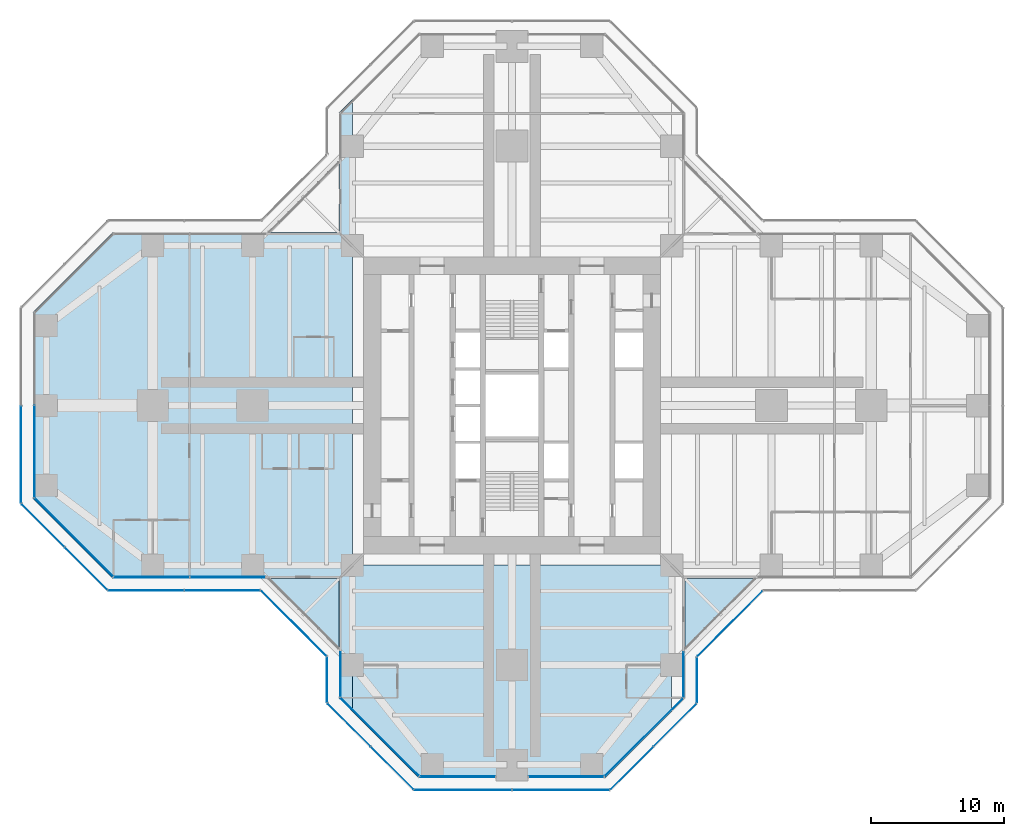
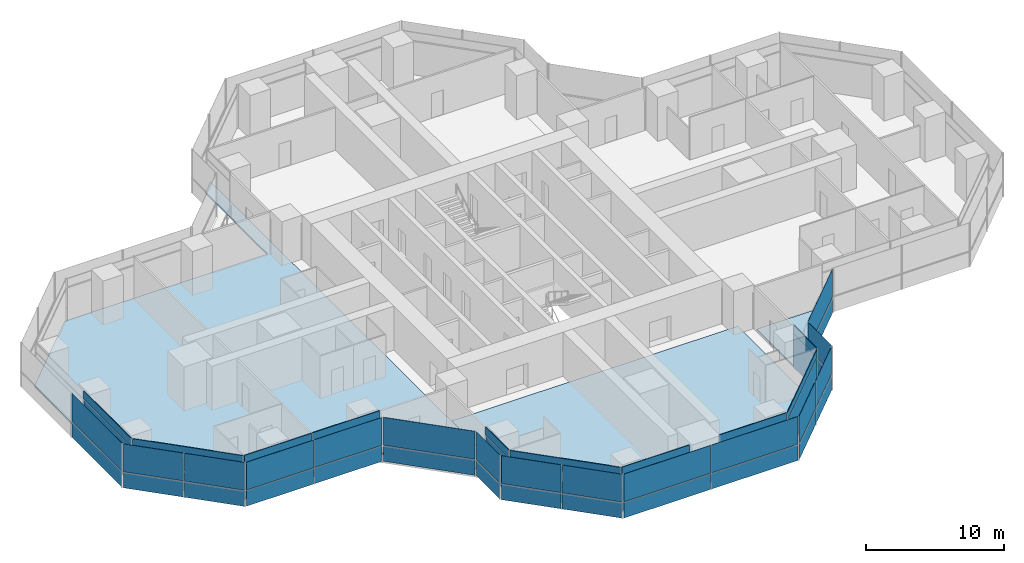
# One storey, part 12 of 20: 50 plates, 4 slabs, 19 elements without a shape of their own.
"""IFC4 building model written with IfcOpenShell, lengths in metres."""

from ifc_helpers import new_model, si_unit, direction, frame, origin, origin_2d, place, context, subcontext, project, spatial, polyline, rectangle, outline, extrude, material, layer, layer_set, type_object, element, aggregate, save


model = new_model("IFC4")

# Units and contexts
model_context = context("Model", 3, precision=1e-05, world=origin(), true_north=direction((0.0, 1.0)))
body_context = subcontext(model_context, "Body", "Model", "MODEL_VIEW")
ifc_project = project(units=[si_unit("LENGTHUNIT", "METRE"), si_unit("AREAUNIT", "SQUARE_METRE"), si_unit("VOLUMEUNIT", "CUBIC_METRE"), si_unit("PLANEANGLEUNIT", "RADIAN"), si_unit("MASSUNIT", "GRAM", prefix="KILO")], contexts=[model_context])

# Site, building, storey
site_placement = place(None, origin())
site = spatial("IfcSite", under=ifc_project, at=site_placement, CompositionType="ELEMENT")
building_placement = place(site_placement, origin())
building = spatial("IfcBuilding", under=site, at=building_placement, Name="Mizan Broadcast Tower", CompositionType="ELEMENT")
storey_placement = place(building_placement, frame((0.0, 0.0, 139.800048828125)))
storey = spatial("IfcBuildingStorey", under=building, at=storey_placement, Name="L31", CompositionType="ELEMENT", Elevation=139.800048828125)

# Slabs
ifc_material_1 = material(Name="Concrete C32/40", Category="concrete")
ifc_layer_1 = layer(ifc_material_1, 0.1298828125)
ifc_layer_set_1 = layer_set([ifc_layer_1], Name="Concrete C32/40")
slab_type_1 = type_object("IfcSlabType", Name="COMPOSITE DECK SLAB 130", PredefinedType="FLOOR", material=ifc_layer_set_1)
slab_1_placement = place(storey_placement, frame((0.0, 0.0, -0.130126953125)))
element("IfcSlab", 1, at=slab_1_placement, inside=storey, type_object=slab_type_1, Name="Floor slab L31 west arm", PredefinedType="FLOOR", context=body_context, shape_type="SweptSolid", body=[
    extrude(outline(polyline([(-13.0, -22.0), (-12.0, -23.0), (-12.0, 23.0), (-13.0, 22.0), (-13.0, 13.0), (-30.0, 13.0), (-36.0, 7.0), (-36.0, -7.0), (-30.0, -13.0), (-13.0, -13.0), (-13.0, -22.0)])), origin(), (0.0, 0.0, 1.0), 0.130126953125),
])
slab_2_placement = place(storey_placement, frame((0.0, 0.0, -0.130126953125)))
element("IfcSlab", 2, at=slab_2_placement, inside=storey, type_object=slab_type_1, Name="Floor slab L31 south arm", PredefinedType="FLOOR", context=body_context, shape_type="SweptSolid", body=[
    extrude(outline(polyline([(7.0, -28.0), (12.0, -23.0), (12.0, -12.0), (-12.0, -12.0), (-12.0, -23.0), (-7.0, -28.0), (7.0, -28.0)])), origin(), (0.0, 0.0, 1.0), 0.130126953125),
])

# Curtain wall, plate
ifc_material_2 = material(Name="Aluminium framed glazing", Category="aluminium")
curtain_wall_type_1 = type_object("IfcCurtainWallType", Name="INNER SKIN MID ZONE", PredefinedType="USERDEFINED", material=ifc_material_2)
curtain_wall_1_placement = place(storey_placement, origin())
curtain_wall_1 = element("IfcCurtainWall", 3, at=curtain_wall_1_placement, inside=storey, type_object=curtain_wall_type_1, Name="Inner skin mid zone L31 W end", ObjectType="INNER SKIN MID ZONE", PredefinedType="USERDEFINED")
ifc_material_3 = material(Name="Double glazing, clear low-e", Category="glass")
ifc_layer_2 = layer(ifc_material_3, 0.028076171875)
ifc_layer_set_2 = layer_set([ifc_layer_2], Name="Double glazing, clear low-e")
plate_type_1 = type_object("IfcPlateType", Name="INNER SKIN GLAZING UNIT", PredefinedType="CURTAIN_PANEL", material=ifc_layer_set_2)
plate_1_placement = place(storey_placement, frame((-35.89990234375, -3.46435546875, 0.0), z_axis=(0.0, 0.0, 1.0), x_axis=(0.0, -1.0, 0.0)))
plate_1 = element("IfcPlate", 4, at=plate_1_placement, type_object=plate_type_1, Name="Inner skin mid zone L31 W end panel 2.1", PredefinedType="CURTAIN_PANEL", context=body_context, shape_type="SweptSolid", body=[
    extrude(rectangle(XDim=6.86865234375, YDim=0.028076171875, at=origin_2d()), origin(), (0.0, 0.0, 1.0), 3.0),
])

curtain_wall_2_placement = place(storey_placement, origin())
curtain_wall_2 = element("IfcCurtainWall", 5, at=curtain_wall_2_placement, inside=storey, type_object=curtain_wall_type_1, Name="Inner skin mid zone L31 W chamfer", ObjectType="INNER SKIN MID ZONE", PredefinedType="USERDEFINED")
plate_2_placement = place(storey_placement, frame((-32.92919921875, -9.92919921875, 0.0), z_axis=(0.0, 0.0, 1.0), x_axis=(0.707106781187, -0.707106781187, 0.0)))
plate_2 = element("IfcPlate", 6, at=plate_2_placement, type_object=plate_type_1, Name="Inner skin mid zone L31 W chamfer panel 1.1", PredefinedType="CURTAIN_PANEL", context=body_context, shape_type="SweptSolid", body=[
    extrude(rectangle(XDim=8.282470703125, YDim=0.028076171875, at=origin_2d()), origin(), (0.0, 0.0, 1.0), 3.0),
])

# Curtain wall, plates
curtain_wall_3_placement = place(storey_placement, origin())
curtain_wall_3 = element("IfcCurtainWall", 7, at=curtain_wall_3_placement, inside=storey, type_object=curtain_wall_type_1, Name="Inner skin mid zone L31 W side", ObjectType="INNER SKIN MID ZONE", PredefinedType="USERDEFINED")
plate_3_placement = place(storey_placement, frame((-27.078857421875, -12.89990234375, 0.0), z_axis=(0.0, 0.0, 1.0), x_axis=(1.0, 0.0, 0.0)))
plate_3 = element("IfcPlate", 8, at=plate_3_placement, type_object=plate_type_1, Name="Inner skin mid zone L31 W side panel 1.1", PredefinedType="CURTAIN_PANEL", context=body_context, shape_type="SweptSolid", body=[
    extrude(rectangle(XDim=5.639404296875, YDim=0.028076171875, at=origin_2d()), origin(), (0.0, 0.0, 1.0), 3.0),
])
plate_4_placement = place(storey_placement, frame((-21.379638671875, -12.89990234375, 0.0), z_axis=(0.0, 0.0, 1.0), x_axis=(1.0, 0.0, 0.0)))
plate_4 = element("IfcPlate", 9, at=plate_4_placement, type_object=plate_type_1, Name="Inner skin mid zone L31 W side panel 2.1", PredefinedType="CURTAIN_PANEL", context=body_context, shape_type="SweptSolid", body=[
    extrude(rectangle(XDim=5.639404296875, YDim=0.028076171875, at=origin_2d()), origin(), (0.0, 0.0, 1.0), 3.0),
])

# Curtain wall, plate
curtain_wall_4_placement = place(storey_placement, origin())
curtain_wall_4 = element("IfcCurtainWall", 10, at=curtain_wall_4_placement, inside=storey, type_object=curtain_wall_type_1, Name="Inner skin mid zone L31 S side", ObjectType="INNER SKIN MID ZONE", PredefinedType="USERDEFINED")
plate_5_placement = place(storey_placement, frame((-12.89990234375, -20.229248046875, 0.0), z_axis=(0.0, 0.0, 1.0), x_axis=(0.0, -1.0, 0.0)))
plate_5 = element("IfcPlate", 11, at=plate_5_placement, type_object=plate_type_1, Name="Inner skin mid zone L31 S side panel 1.1", PredefinedType="CURTAIN_PANEL", context=body_context, shape_type="SweptSolid", body=[
    extrude(rectangle(XDim=3.338623046875, YDim=0.028076171875, at=origin_2d()), origin(), (0.0, 0.0, 1.0), 3.0),
])

curtain_wall_5_placement = place(storey_placement, origin())
curtain_wall_5 = element("IfcCurtainWall", 12, at=curtain_wall_5_placement, inside=storey, type_object=curtain_wall_type_1, Name="Inner skin mid zone L31 S chamfer", ObjectType="INNER SKIN MID ZONE", PredefinedType="USERDEFINED")
plate_6_placement = place(storey_placement, frame((-9.92919921875, -24.92919921875, 0.0), z_axis=(0.0, 0.0, 1.0), x_axis=(0.707106781187, -0.707106781187, 0.0)))
plate_6 = element("IfcPlate", 13, at=plate_6_placement, type_object=plate_type_1, Name="Inner skin mid zone L31 S chamfer panel 1.1", PredefinedType="CURTAIN_PANEL", context=body_context, shape_type="SweptSolid", body=[
    extrude(rectangle(XDim=8.282470703125, YDim=0.028076171875, at=origin_2d()), origin(), (0.0, 0.0, 1.0), 3.0),
])

curtain_wall_6_placement = place(storey_placement, origin())
curtain_wall_6 = element("IfcCurtainWall", 14, at=curtain_wall_6_placement, inside=storey, type_object=curtain_wall_type_1, Name="Inner skin mid zone L31 S end", ObjectType="INNER SKIN MID ZONE", PredefinedType="USERDEFINED")
plate_7_placement = place(storey_placement, frame((-4.079345703125, -27.89990234375, 0.0), z_axis=(0.0, 0.0, 1.0), x_axis=(1.0, 0.0, 0.0)))
plate_7 = element("IfcPlate", 15, at=plate_7_placement, type_object=plate_type_1, Name="Inner skin mid zone L31 S end panel 1.1", PredefinedType="CURTAIN_PANEL", context=body_context, shape_type="SweptSolid", body=[
    extrude(rectangle(XDim=5.638671875, YDim=0.028076171875, at=origin_2d()), origin(), (0.0, 0.0, 1.0), 3.0),
])

curtain_wall_7_placement = place(storey_placement, origin())
curtain_wall_7 = element("IfcCurtainWall", 16, at=curtain_wall_7_placement, inside=storey, type_object=curtain_wall_type_1, Name="Inner skin mid zone L31 S end", ObjectType="INNER SKIN MID ZONE", PredefinedType="USERDEFINED")
plate_8_placement = place(storey_placement, frame((4.079345703125, -27.89990234375, 0.0), z_axis=(0.0, 0.0, 1.0), x_axis=(1.0, 0.0, 0.0)))
plate_8 = element("IfcPlate", 17, at=plate_8_placement, type_object=plate_type_1, Name="Inner skin mid zone L31 S end panel 1.1", PredefinedType="CURTAIN_PANEL", context=body_context, shape_type="SweptSolid", body=[
    extrude(rectangle(XDim=5.638671875, YDim=0.028076171875, at=origin_2d()), origin(), (0.0, 0.0, 1.0), 3.0),
])

curtain_wall_8_placement = place(storey_placement, origin())
curtain_wall_8 = element("IfcCurtainWall", 18, at=curtain_wall_8_placement, inside=storey, type_object=curtain_wall_type_1, Name="Inner skin mid zone L31 S chamfer", ObjectType="INNER SKIN MID ZONE", PredefinedType="USERDEFINED")
plate_9_placement = place(storey_placement, frame((9.92919921875, -24.92919921875, 0.0), z_axis=(0.0, 0.0, 1.0), x_axis=(0.707106781187, 0.707106781187, 0.0)))
plate_9 = element("IfcPlate", 19, at=plate_9_placement, type_object=plate_type_1, Name="Inner skin mid zone L31 S chamfer panel 1.1", PredefinedType="CURTAIN_PANEL", context=body_context, shape_type="SweptSolid", body=[
    extrude(rectangle(XDim=8.282470703125, YDim=0.028076171875, at=origin_2d()), origin(), (0.0, 0.0, 1.0), 3.0),
])

curtain_wall_9_placement = place(storey_placement, origin())
curtain_wall_9 = element("IfcCurtainWall", 20, at=curtain_wall_9_placement, inside=storey, type_object=curtain_wall_type_1, Name="Inner skin mid zone L31 S side", ObjectType="INNER SKIN MID ZONE", PredefinedType="USERDEFINED")
plate_10_placement = place(storey_placement, frame((12.89990234375, -20.229248046875, 0.0), z_axis=(0.0, 0.0, 1.0), x_axis=(0.0, 1.0, 0.0)))
plate_10 = element("IfcPlate", 21, at=plate_10_placement, type_object=plate_type_1, Name="Inner skin mid zone L31 S side panel 1.1", PredefinedType="CURTAIN_PANEL", context=body_context, shape_type="SweptSolid", body=[
    extrude(rectangle(XDim=3.338623046875, YDim=0.028076171875, at=origin_2d()), origin(), (0.0, 0.0, 1.0), 3.0),
])

# Plate
ifc_material_4 = material(Name="Insulated aluminium spandrel panel, pale anodised", Category="aluminium")
ifc_layer_3 = layer(ifc_material_4, 0.050048828125)
ifc_layer_set_3 = layer_set([ifc_layer_3], Name="Insulated aluminium spandrel panel, pale anodised")
plate_type_2 = type_object("IfcPlateType", Name="INNER SKIN SPANDREL PANEL", PredefinedType="CURTAIN_PANEL", material=ifc_layer_set_3)
plate_11_placement = place(storey_placement, frame((-35.89990234375, -3.46435546875, 3.06005859375), z_axis=(0.0, 0.0, 1.0), x_axis=(0.0, -1.0, 0.0)))
plate_11 = element("IfcPlate", 22, at=plate_11_placement, type_object=plate_type_2, Name="Inner skin mid zone L31 W end panel 2.2", PredefinedType="CURTAIN_PANEL", context=body_context, shape_type="SweptSolid", body=[
    extrude(rectangle(XDim=6.86865234375, YDim=0.050048828125, at=origin_2d()), origin(), (0.0, 0.0, 1.0), 0.7099609375),
])

aggregate(curtain_wall_1, [plate_1, plate_11])

plate_12_placement = place(storey_placement, frame((-32.92919921875, -9.92919921875, 3.06005859375), z_axis=(0.0, 0.0, 1.0), x_axis=(0.707106781187, -0.707106781187, 0.0)))
plate_12 = element("IfcPlate", 23, at=plate_12_placement, type_object=plate_type_2, Name="Inner skin mid zone L31 W chamfer panel 1.2", PredefinedType="CURTAIN_PANEL", context=body_context, shape_type="SweptSolid", body=[
    extrude(rectangle(XDim=8.282470703125, YDim=0.050048828125, at=origin_2d()), origin(), (0.0, 0.0, 1.0), 0.7099609375),
])

aggregate(curtain_wall_2, [plate_2, plate_12])

plate_13_placement = place(storey_placement, frame((-27.078857421875, -12.89990234375, 3.06005859375), z_axis=(0.0, 0.0, 1.0), x_axis=(1.0, 0.0, 0.0)))
plate_13 = element("IfcPlate", 24, at=plate_13_placement, type_object=plate_type_2, Name="Inner skin mid zone L31 W side panel 1.2", PredefinedType="CURTAIN_PANEL", context=body_context, shape_type="SweptSolid", body=[
    extrude(rectangle(XDim=5.639404296875, YDim=0.050048828125, at=origin_2d()), origin(), (0.0, 0.0, 1.0), 0.7099609375),
])

plate_14_placement = place(storey_placement, frame((-21.379638671875, -12.89990234375, 3.06005859375), z_axis=(0.0, 0.0, 1.0), x_axis=(1.0, 0.0, 0.0)))
plate_14 = element("IfcPlate", 25, at=plate_14_placement, type_object=plate_type_2, Name="Inner skin mid zone L31 W side panel 2.2", PredefinedType="CURTAIN_PANEL", context=body_context, shape_type="SweptSolid", body=[
    extrude(rectangle(XDim=5.639404296875, YDim=0.050048828125, at=origin_2d()), origin(), (0.0, 0.0, 1.0), 0.7099609375),
])

aggregate(curtain_wall_3, [plate_3, plate_13, plate_4, plate_14])

plate_15_placement = place(storey_placement, frame((-12.89990234375, -20.229248046875, 3.06005859375), z_axis=(0.0, 0.0, 1.0), x_axis=(0.0, -1.0, 0.0)))
plate_15 = element("IfcPlate", 26, at=plate_15_placement, type_object=plate_type_2, Name="Inner skin mid zone L31 S side panel 1.2", PredefinedType="CURTAIN_PANEL", context=body_context, shape_type="SweptSolid", body=[
    extrude(rectangle(XDim=3.338623046875, YDim=0.050048828125, at=origin_2d()), origin(), (0.0, 0.0, 1.0), 0.7099609375),
])

aggregate(curtain_wall_4, [plate_5, plate_15])

plate_16_placement = place(storey_placement, frame((-9.92919921875, -24.92919921875, 3.06005859375), z_axis=(0.0, 0.0, 1.0), x_axis=(0.707106781187, -0.707106781187, 0.0)))
plate_16 = element("IfcPlate", 27, at=plate_16_placement, type_object=plate_type_2, Name="Inner skin mid zone L31 S chamfer panel 1.2", PredefinedType="CURTAIN_PANEL", context=body_context, shape_type="SweptSolid", body=[
    extrude(rectangle(XDim=8.282470703125, YDim=0.050048828125, at=origin_2d()), origin(), (0.0, 0.0, 1.0), 0.7099609375),
])

aggregate(curtain_wall_5, [plate_6, plate_16])

plate_17_placement = place(storey_placement, frame((-4.079345703125, -27.89990234375, 3.06005859375), z_axis=(0.0, 0.0, 1.0), x_axis=(1.0, 0.0, 0.0)))
plate_17 = element("IfcPlate", 28, at=plate_17_placement, type_object=plate_type_2, Name="Inner skin mid zone L31 S end panel 1.2", PredefinedType="CURTAIN_PANEL", context=body_context, shape_type="SweptSolid", body=[
    extrude(rectangle(XDim=5.638671875, YDim=0.050048828125, at=origin_2d()), origin(), (0.0, 0.0, 1.0), 0.7099609375),
])

aggregate(curtain_wall_6, [plate_7, plate_17])

plate_18_placement = place(storey_placement, frame((4.079345703125, -27.89990234375, 3.06005859375), z_axis=(0.0, 0.0, 1.0), x_axis=(1.0, 0.0, 0.0)))
plate_18 = element("IfcPlate", 29, at=plate_18_placement, type_object=plate_type_2, Name="Inner skin mid zone L31 S end panel 1.2", PredefinedType="CURTAIN_PANEL", context=body_context, shape_type="SweptSolid", body=[
    extrude(rectangle(XDim=5.638671875, YDim=0.050048828125, at=origin_2d()), origin(), (0.0, 0.0, 1.0), 0.7099609375),
])

aggregate(curtain_wall_7, [plate_8, plate_18])

plate_19_placement = place(storey_placement, frame((9.92919921875, -24.92919921875, 3.06005859375), z_axis=(0.0, 0.0, 1.0), x_axis=(0.707106781187, 0.707106781187, 0.0)))
plate_19 = element("IfcPlate", 30, at=plate_19_placement, type_object=plate_type_2, Name="Inner skin mid zone L31 S chamfer panel 1.2", PredefinedType="CURTAIN_PANEL", context=body_context, shape_type="SweptSolid", body=[
    extrude(rectangle(XDim=8.282470703125, YDim=0.050048828125, at=origin_2d()), origin(), (0.0, 0.0, 1.0), 0.7099609375),
])

aggregate(curtain_wall_8, [plate_9, plate_19])

plate_20_placement = place(storey_placement, frame((12.89990234375, -20.229248046875, 3.06005859375), z_axis=(0.0, 0.0, 1.0), x_axis=(0.0, 1.0, 0.0)))
plate_20 = element("IfcPlate", 31, at=plate_20_placement, type_object=plate_type_2, Name="Inner skin mid zone L31 S side panel 1.2", PredefinedType="CURTAIN_PANEL", context=body_context, shape_type="SweptSolid", body=[
    extrude(rectangle(XDim=3.338623046875, YDim=0.050048828125, at=origin_2d()), origin(), (0.0, 0.0, 1.0), 0.7099609375),
])

aggregate(curtain_wall_9, [plate_10, plate_20])

# Curtain wall, plates
ifc_material_5 = material(Name="Aluminium framed glazing", Category="aluminium")
curtain_wall_type_2 = type_object("IfcCurtainWallType", Name="OUTER SKIN", PredefinedType="USERDEFINED", material=ifc_material_5)
curtain_wall_10_placement = place(storey_placement, origin())
curtain_wall_10 = element("IfcCurtainWall", 32, at=curtain_wall_10_placement, inside=storey, type_object=curtain_wall_type_2, Name="Outer skin L31 W chamfer", ObjectType="OUTER SKIN", PredefinedType="USERDEFINED")
ifc_material_6 = material(Name="Laminated clear glass", Category="glass")
ifc_layer_4 = layer(ifc_material_6, 0.02001953125)
ifc_layer_set_4 = layer_set([ifc_layer_4], Name="Laminated clear glass")
plate_type_3 = type_object("IfcPlateType", Name="OUTER SKIN CLEAR GLASS", PredefinedType="CURTAIN_PANEL", material=ifc_layer_set_4)
plate_21_placement = place(storey_placement, frame((-35.254150390625, -9.018798828125, 0.0), z_axis=(0.0, 0.0, 1.0), x_axis=(0.707106781187, -0.707106781187, 0.0)))
plate_21 = element("IfcPlate", 33, at=plate_21_placement, type_object=plate_type_3, Name="Outer skin L31 W chamfer panel 1.1", PredefinedType="CURTAIN_PANEL", context=body_context, shape_type="SweptSolid", body=[
    extrude(rectangle(XDim=4.495361328125, YDim=0.02001953125, at=origin_2d()), origin(), (0.0, 0.0, 1.0), 1.3701171875),
])
plate_22_placement = place(storey_placement, frame((-35.254150390625, -9.018798828125, 1.43017578125), z_axis=(0.0, 0.0, 1.0), x_axis=(0.707106781187, -0.707106781187, 0.0)))
plate_22 = element("IfcPlate", 34, at=plate_22_placement, type_object=plate_type_3, Name="Outer skin L31 W chamfer panel 1.2", PredefinedType="CURTAIN_PANEL", context=body_context, shape_type="SweptSolid", body=[
    extrude(rectangle(XDim=4.495361328125, YDim=0.02001953125, at=origin_2d()), origin(), (0.0, 0.0, 1.0), 2.469970703125),
])

curtain_wall_11_placement = place(storey_placement, origin())
curtain_wall_11 = element("IfcCurtainWall", 35, at=curtain_wall_11_placement, inside=storey, type_object=curtain_wall_type_2, Name="Outer skin L31 W side", ObjectType="OUTER SKIN", PredefinedType="USERDEFINED")
plate_23_placement = place(storey_placement, frame((-27.477783203125, -13.89990234375, 0.0), z_axis=(0.0, 0.0, 1.0), x_axis=(1.0, 0.0, 0.0)))
plate_23 = element("IfcPlate", 36, at=plate_23_placement, type_object=plate_type_3, Name="Outer skin L31 W side panel 1.1", PredefinedType="CURTAIN_PANEL", context=body_context, shape_type="SweptSolid", body=[
    extrude(rectangle(XDim=5.6298828125, YDim=0.02001953125, at=origin_2d()), origin(), (0.0, 0.0, 1.0), 1.3701171875),
])
plate_24_placement = place(storey_placement, frame((-27.477783203125, -13.89990234375, 1.43017578125), z_axis=(0.0, 0.0, 1.0), x_axis=(1.0, 0.0, 0.0)))
plate_24 = element("IfcPlate", 37, at=plate_24_placement, type_object=plate_type_3, Name="Outer skin L31 W side panel 1.2", PredefinedType="CURTAIN_PANEL", context=body_context, shape_type="SweptSolid", body=[
    extrude(rectangle(XDim=5.6298828125, YDim=0.02001953125, at=origin_2d()), origin(), (0.0, 0.0, 1.0), 2.469970703125),
])

curtain_wall_12_placement = place(storey_placement, origin())
curtain_wall_12 = element("IfcCurtainWall", 38, at=curtain_wall_12_placement, inside=storey, type_object=curtain_wall_type_2, Name="Outer skin L31 W chamfer", ObjectType="OUTER SKIN", PredefinedType="USERDEFINED")
plate_25_placement = place(storey_placement, frame((-16.386474609375, -16.386474609375, 0.0), z_axis=(0.0, 0.0, 1.0), x_axis=(0.707106781187, -0.707106781187, 0.0)))
plate_25 = element("IfcPlate", 39, at=plate_25_placement, type_object=plate_type_3, Name="Outer skin L31 W chamfer panel 1.1", PredefinedType="CURTAIN_PANEL", context=body_context, shape_type="SweptSolid", body=[
    extrude(rectangle(XDim=6.87255859375, YDim=0.02001953125, at=origin_2d()), origin(), (0.0, 0.0, 1.0), 1.3701171875),
])
plate_26_placement = place(storey_placement, frame((-16.386474609375, -16.386474609375, 1.43017578125), z_axis=(0.0, 0.0, 1.0), x_axis=(0.707106781187, -0.707106781187, 0.0)))
plate_26 = element("IfcPlate", 40, at=plate_26_placement, type_object=plate_type_3, Name="Outer skin L31 W chamfer panel 1.2", PredefinedType="CURTAIN_PANEL", context=body_context, shape_type="SweptSolid", body=[
    extrude(rectangle(XDim=6.87255859375, YDim=0.02001953125, at=origin_2d()), origin(), (0.0, 0.0, 1.0), 2.469970703125),
])
aggregate(curtain_wall_12, [plate_25, plate_26])

curtain_wall_13_placement = place(storey_placement, origin())
curtain_wall_13 = element("IfcCurtainWall", 41, at=curtain_wall_13_placement, inside=storey, type_object=curtain_wall_type_2, Name="Outer skin L31 S side", ObjectType="OUTER SKIN", PredefinedType="USERDEFINED")
plate_27_placement = place(storey_placement, frame((-13.89990234375, -20.622802734375, 0.0), z_axis=(0.0, 0.0, 1.0), x_axis=(0.0, -1.0, 0.0)))
plate_27 = element("IfcPlate", 42, at=plate_27_placement, type_object=plate_type_3, Name="Outer skin L31 S side panel 1.1", PredefinedType="CURTAIN_PANEL", context=body_context, shape_type="SweptSolid", body=[
    extrude(rectangle(XDim=3.340087890625, YDim=0.02001953125, at=origin_2d()), origin(), (0.0, 0.0, 1.0), 1.3701171875),
])
plate_28_placement = place(storey_placement, frame((-13.89990234375, -20.622802734375, 1.43017578125), z_axis=(0.0, 0.0, 1.0), x_axis=(0.0, -1.0, 0.0)))
plate_28 = element("IfcPlate", 43, at=plate_28_placement, type_object=plate_type_3, Name="Outer skin L31 S side panel 1.2", PredefinedType="CURTAIN_PANEL", context=body_context, shape_type="SweptSolid", body=[
    extrude(rectangle(XDim=3.340087890625, YDim=0.02001953125, at=origin_2d()), origin(), (0.0, 0.0, 1.0), 2.469970703125),
])
aggregate(curtain_wall_13, [plate_27, plate_28])

curtain_wall_14_placement = place(storey_placement, origin())
curtain_wall_14 = element("IfcCurtainWall", 44, at=curtain_wall_14_placement, inside=storey, type_object=curtain_wall_type_2, Name="Outer skin L31 S chamfer", ObjectType="OUTER SKIN", PredefinedType="USERDEFINED")
plate_29_placement = place(storey_placement, frame((-12.254150390625, -24.018798828125, 0.0), z_axis=(0.0, 0.0, 1.0), x_axis=(0.707106781187, -0.707106781187, 0.0)))
plate_29 = element("IfcPlate", 45, at=plate_29_placement, type_object=plate_type_3, Name="Outer skin L31 S chamfer panel 1.1", PredefinedType="CURTAIN_PANEL", context=body_context, shape_type="SweptSolid", body=[
    extrude(rectangle(XDim=4.495361328125, YDim=0.02001953125, at=origin_2d()), origin(), (0.0, 0.0, 1.0), 1.3701171875),
])
plate_30_placement = place(storey_placement, frame((-12.254150390625, -24.018798828125, 1.43017578125), z_axis=(0.0, 0.0, 1.0), x_axis=(0.707106781187, -0.707106781187, 0.0)))
plate_30 = element("IfcPlate", 46, at=plate_30_placement, type_object=plate_type_3, Name="Outer skin L31 S chamfer panel 1.2", PredefinedType="CURTAIN_PANEL", context=body_context, shape_type="SweptSolid", body=[
    extrude(rectangle(XDim=4.495361328125, YDim=0.02001953125, at=origin_2d()), origin(), (0.0, 0.0, 1.0), 2.469970703125),
])

curtain_wall_15_placement = place(storey_placement, origin())
curtain_wall_15 = element("IfcCurtainWall", 47, at=curtain_wall_15_placement, inside=storey, type_object=curtain_wall_type_2, Name="Outer skin L31 S end", ObjectType="OUTER SKIN", PredefinedType="USERDEFINED")
plate_31_placement = place(storey_placement, frame((-3.66650390625, -28.89990234375, 0.0), z_axis=(0.0, 0.0, 1.0), x_axis=(1.0, 0.0, 0.0)))
plate_31 = element("IfcPlate", 48, at=plate_31_placement, type_object=plate_type_3, Name="Outer skin L31 S end panel 1.1", PredefinedType="CURTAIN_PANEL", context=body_context, shape_type="SweptSolid", body=[
    extrude(rectangle(XDim=7.252685546875, YDim=0.02001953125, at=origin_2d()), origin(), (0.0, 0.0, 1.0), 1.3701171875),
])
plate_32_placement = place(storey_placement, frame((-3.66650390625, -28.89990234375, 1.43017578125), z_axis=(0.0, 0.0, 1.0), x_axis=(1.0, 0.0, 0.0)))
plate_32 = element("IfcPlate", 49, at=plate_32_placement, type_object=plate_type_3, Name="Outer skin L31 S end panel 1.2", PredefinedType="CURTAIN_PANEL", context=body_context, shape_type="SweptSolid", body=[
    extrude(rectangle(XDim=7.252685546875, YDim=0.02001953125, at=origin_2d()), origin(), (0.0, 0.0, 1.0), 2.469970703125),
])

curtain_wall_16_placement = place(storey_placement, origin())
curtain_wall_16 = element("IfcCurtainWall", 50, at=curtain_wall_16_placement, inside=storey, type_object=curtain_wall_type_2, Name="Outer skin L31 S chamfer", ObjectType="OUTER SKIN", PredefinedType="USERDEFINED")
plate_33_placement = place(storey_placement, frame((9.018798828125, -27.254150390625, 0.0), z_axis=(0.0, 0.0, 1.0), x_axis=(0.707106781187, 0.707106781187, 0.0)))
plate_33 = element("IfcPlate", 51, at=plate_33_placement, type_object=plate_type_3, Name="Outer skin L31 S chamfer panel 1.1", PredefinedType="CURTAIN_PANEL", context=body_context, shape_type="SweptSolid", body=[
    extrude(rectangle(XDim=4.495361328125, YDim=0.02001953125, at=origin_2d()), origin(), (0.0, 0.0, 1.0), 1.3701171875),
])
plate_34_placement = place(storey_placement, frame((9.018798828125, -27.254150390625, 1.43017578125), z_axis=(0.0, 0.0, 1.0), x_axis=(0.707106781187, 0.707106781187, 0.0)))
plate_34 = element("IfcPlate", 52, at=plate_34_placement, type_object=plate_type_3, Name="Outer skin L31 S chamfer panel 1.2", PredefinedType="CURTAIN_PANEL", context=body_context, shape_type="SweptSolid", body=[
    extrude(rectangle(XDim=4.495361328125, YDim=0.02001953125, at=origin_2d()), origin(), (0.0, 0.0, 1.0), 2.469970703125),
])

curtain_wall_17_placement = place(storey_placement, origin())
curtain_wall_17 = element("IfcCurtainWall", 53, at=curtain_wall_17_placement, inside=storey, type_object=curtain_wall_type_2, Name="Outer skin L31 S side", ObjectType="OUTER SKIN", PredefinedType="USERDEFINED")
plate_35_placement = place(storey_placement, frame((13.89990234375, -20.622802734375, 0.0), z_axis=(0.0, 0.0, 1.0), x_axis=(0.0, 1.0, 0.0)))
plate_35 = element("IfcPlate", 54, at=plate_35_placement, type_object=plate_type_3, Name="Outer skin L31 S side panel 1.1", PredefinedType="CURTAIN_PANEL", context=body_context, shape_type="SweptSolid", body=[
    extrude(rectangle(XDim=3.340087890625, YDim=0.02001953125, at=origin_2d()), origin(), (0.0, 0.0, 1.0), 1.3701171875),
])
plate_36_placement = place(storey_placement, frame((13.89990234375, -20.622802734375, 1.43017578125), z_axis=(0.0, 0.0, 1.0), x_axis=(0.0, 1.0, 0.0)))
plate_36 = element("IfcPlate", 55, at=plate_36_placement, type_object=plate_type_3, Name="Outer skin L31 S side panel 1.2", PredefinedType="CURTAIN_PANEL", context=body_context, shape_type="SweptSolid", body=[
    extrude(rectangle(XDim=3.340087890625, YDim=0.02001953125, at=origin_2d()), origin(), (0.0, 0.0, 1.0), 2.469970703125),
])
aggregate(curtain_wall_17, [plate_35, plate_36])

curtain_wall_18_placement = place(storey_placement, origin())
curtain_wall_18 = element("IfcCurtainWall", 56, at=curtain_wall_18_placement, inside=storey, type_object=curtain_wall_type_2, Name="Outer skin L31 E chamfer", ObjectType="OUTER SKIN", PredefinedType="USERDEFINED")
plate_37_placement = place(storey_placement, frame((16.386474609375, -16.386474609375, 0.0), z_axis=(0.0, 0.0, 1.0), x_axis=(0.707106781187, 0.707106781187, 0.0)))
plate_37 = element("IfcPlate", 57, at=plate_37_placement, type_object=plate_type_3, Name="Outer skin L31 E chamfer panel 1.1", PredefinedType="CURTAIN_PANEL", context=body_context, shape_type="SweptSolid", body=[
    extrude(rectangle(XDim=6.87255859375, YDim=0.02001953125, at=origin_2d()), origin(), (0.0, 0.0, 1.0), 1.3701171875),
])
plate_38_placement = place(storey_placement, frame((16.386474609375, -16.386474609375, 1.43017578125), z_axis=(0.0, 0.0, 1.0), x_axis=(0.707106781187, 0.707106781187, 0.0)))
plate_38 = element("IfcPlate", 58, at=plate_38_placement, type_object=plate_type_3, Name="Outer skin L31 E chamfer panel 1.2", PredefinedType="CURTAIN_PANEL", context=body_context, shape_type="SweptSolid", body=[
    extrude(rectangle(XDim=6.87255859375, YDim=0.02001953125, at=origin_2d()), origin(), (0.0, 0.0, 1.0), 2.469970703125),
])
aggregate(curtain_wall_18, [plate_37, plate_38])

curtain_wall_19_placement = place(storey_placement, origin())
curtain_wall_19 = element("IfcCurtainWall", 59, at=curtain_wall_19_placement, inside=storey, type_object=curtain_wall_type_2, Name="Outer skin L31 W end", ObjectType="OUTER SKIN", PredefinedType="USERDEFINED")
ifc_material_7 = material(Name="Perforated aluminium, pale anodised", Category="aluminium")
ifc_layer_5 = layer(ifc_material_7, 0.011962890625)
ifc_layer_set_5 = layer_set([ifc_layer_5], Name="Perforated aluminium, pale anodised")
plate_type_4 = type_object("IfcPlateType", Name="OUTER SKIN PERFORATED SCREEN", PredefinedType="USERDEFINED", material=ifc_layer_set_5)
plate_39_placement = place(storey_placement, frame((-36.89990234375, -3.66650390625, 0.0), z_axis=(0.0, 0.0, 1.0), x_axis=(0.0, -1.0, 0.0)))
plate_39 = element("IfcPlate", 60, at=plate_39_placement, type_object=plate_type_4, Name="Outer skin L31 W end panel 2.1", ObjectType="SCREEN", PredefinedType="USERDEFINED", context=body_context, shape_type="SweptSolid", body=[
    extrude(rectangle(XDim=7.252685546875, YDim=0.011962890625, at=origin_2d()), origin(), (0.0, 0.0, 1.0), 1.3701171875),
])
plate_40_placement = place(storey_placement, frame((-36.89990234375, -3.66650390625, 1.43017578125), z_axis=(0.0, 0.0, 1.0), x_axis=(0.0, -1.0, 0.0)))
plate_40 = element("IfcPlate", 61, at=plate_40_placement, type_object=plate_type_4, Name="Outer skin L31 W end panel 2.2", ObjectType="SCREEN", PredefinedType="USERDEFINED", context=body_context, shape_type="SweptSolid", body=[
    extrude(rectangle(XDim=7.252685546875, YDim=0.011962890625, at=origin_2d()), origin(), (0.0, 0.0, 1.0), 2.469970703125),
])
aggregate(curtain_wall_19, [plate_39, plate_40])

# Plate
plate_41_placement = place(storey_placement, frame((-32.018798828125, -12.254150390625, 0.0), z_axis=(0.0, 0.0, 1.0), x_axis=(0.707106781187, -0.707106781187, 0.0)))
plate_41 = element("IfcPlate", 62, at=plate_41_placement, type_object=plate_type_4, Name="Outer skin L31 W chamfer panel 2.1", ObjectType="SCREEN", PredefinedType="USERDEFINED", context=body_context, shape_type="SweptSolid", body=[
    extrude(rectangle(XDim=4.495361328125, YDim=0.011962890625, at=origin_2d()), origin(), (0.0, 0.0, 1.0), 1.3701171875),
])

plate_42_placement = place(storey_placement, frame((-32.018798828125, -12.254150390625, 1.43017578125), z_axis=(0.0, 0.0, 1.0), x_axis=(0.707106781187, -0.707106781187, 0.0)))
plate_42 = element("IfcPlate", 63, at=plate_42_placement, type_object=plate_type_4, Name="Outer skin L31 W chamfer panel 2.2", ObjectType="SCREEN", PredefinedType="USERDEFINED", context=body_context, shape_type="SweptSolid", body=[
    extrude(rectangle(XDim=4.495361328125, YDim=0.011962890625, at=origin_2d()), origin(), (0.0, 0.0, 1.0), 2.469970703125),
])

aggregate(curtain_wall_10, [plate_21, plate_22, plate_41, plate_42])

plate_43_placement = place(storey_placement, frame((-21.767822265625, -13.89990234375, 0.0), z_axis=(0.0, 0.0, 1.0), x_axis=(1.0, 0.0, 0.0)))
plate_43 = element("IfcPlate", 64, at=plate_43_placement, type_object=plate_type_4, Name="Outer skin L31 W side panel 2.1", ObjectType="SCREEN", PredefinedType="USERDEFINED", context=body_context, shape_type="SweptSolid", body=[
    extrude(rectangle(XDim=5.6298828125, YDim=0.011962890625, at=origin_2d()), origin(), (0.0, 0.0, 1.0), 1.3701171875),
])

plate_44_placement = place(storey_placement, frame((-21.767822265625, -13.89990234375, 1.43017578125), z_axis=(0.0, 0.0, 1.0), x_axis=(1.0, 0.0, 0.0)))
plate_44 = element("IfcPlate", 65, at=plate_44_placement, type_object=plate_type_4, Name="Outer skin L31 W side panel 2.2", ObjectType="SCREEN", PredefinedType="USERDEFINED", context=body_context, shape_type="SweptSolid", body=[
    extrude(rectangle(XDim=5.6298828125, YDim=0.011962890625, at=origin_2d()), origin(), (0.0, 0.0, 1.0), 2.469970703125),
])

aggregate(curtain_wall_11, [plate_23, plate_24, plate_43, plate_44])

plate_45_placement = place(storey_placement, frame((-9.018798828125, -27.254150390625, 0.0), z_axis=(0.0, 0.0, 1.0), x_axis=(0.707106781187, -0.707106781187, 0.0)))
plate_45 = element("IfcPlate", 66, at=plate_45_placement, type_object=plate_type_4, Name="Outer skin L31 S chamfer panel 2.1", ObjectType="SCREEN", PredefinedType="USERDEFINED", context=body_context, shape_type="SweptSolid", body=[
    extrude(rectangle(XDim=4.495361328125, YDim=0.011962890625, at=origin_2d()), origin(), (0.0, 0.0, 1.0), 1.3701171875),
])

plate_46_placement = place(storey_placement, frame((-9.018798828125, -27.254150390625, 1.43017578125), z_axis=(0.0, 0.0, 1.0), x_axis=(0.707106781187, -0.707106781187, 0.0)))
plate_46 = element("IfcPlate", 67, at=plate_46_placement, type_object=plate_type_4, Name="Outer skin L31 S chamfer panel 2.2", ObjectType="SCREEN", PredefinedType="USERDEFINED", context=body_context, shape_type="SweptSolid", body=[
    extrude(rectangle(XDim=4.495361328125, YDim=0.011962890625, at=origin_2d()), origin(), (0.0, 0.0, 1.0), 2.469970703125),
])

aggregate(curtain_wall_14, [plate_29, plate_30, plate_45, plate_46])

plate_47_placement = place(storey_placement, frame((3.66650390625, -28.89990234375, 0.0), z_axis=(0.0, 0.0, 1.0), x_axis=(1.0, 0.0, 0.0)))
plate_47 = element("IfcPlate", 68, at=plate_47_placement, type_object=plate_type_4, Name="Outer skin L31 S end panel 2.1", ObjectType="SCREEN", PredefinedType="USERDEFINED", context=body_context, shape_type="SweptSolid", body=[
    extrude(rectangle(XDim=7.252685546875, YDim=0.011962890625, at=origin_2d()), origin(), (0.0, 0.0, 1.0), 1.3701171875),
])

plate_48_placement = place(storey_placement, frame((3.66650390625, -28.89990234375, 1.43017578125), z_axis=(0.0, 0.0, 1.0), x_axis=(1.0, 0.0, 0.0)))
plate_48 = element("IfcPlate", 69, at=plate_48_placement, type_object=plate_type_4, Name="Outer skin L31 S end panel 2.2", ObjectType="SCREEN", PredefinedType="USERDEFINED", context=body_context, shape_type="SweptSolid", body=[
    extrude(rectangle(XDim=7.252685546875, YDim=0.011962890625, at=origin_2d()), origin(), (0.0, 0.0, 1.0), 2.469970703125),
])

aggregate(curtain_wall_15, [plate_31, plate_32, plate_47, plate_48])

plate_49_placement = place(storey_placement, frame((12.254150390625, -24.018798828125, 0.0), z_axis=(0.0, 0.0, 1.0), x_axis=(0.707106781187, 0.707106781187, 0.0)))
plate_49 = element("IfcPlate", 70, at=plate_49_placement, type_object=plate_type_4, Name="Outer skin L31 S chamfer panel 2.1", ObjectType="SCREEN", PredefinedType="USERDEFINED", context=body_context, shape_type="SweptSolid", body=[
    extrude(rectangle(XDim=4.495361328125, YDim=0.011962890625, at=origin_2d()), origin(), (0.0, 0.0, 1.0), 1.3701171875),
])

plate_50_placement = place(storey_placement, frame((12.254150390625, -24.018798828125, 1.43017578125), z_axis=(0.0, 0.0, 1.0), x_axis=(0.707106781187, 0.707106781187, 0.0)))
plate_50 = element("IfcPlate", 71, at=plate_50_placement, type_object=plate_type_4, Name="Outer skin L31 S chamfer panel 2.2", ObjectType="SCREEN", PredefinedType="USERDEFINED", context=body_context, shape_type="SweptSolid", body=[
    extrude(rectangle(XDim=4.495361328125, YDim=0.011962890625, at=origin_2d()), origin(), (0.0, 0.0, 1.0), 2.469970703125),
])

aggregate(curtain_wall_16, [plate_33, plate_34, plate_49, plate_50])

# Slabs
ifc_material_8 = material(Name="Concrete C32/40", Category="concrete")
ifc_layer_6 = layer(ifc_material_8, 0.1298828125)
ifc_layer_set_6 = layer_set([ifc_layer_6], Name="Concrete C32/40")
slab_type_2 = type_object("IfcSlabType", Name="WINTER GARDEN SLAB 130", PredefinedType="FLOOR", material=ifc_layer_set_6)
slab_3_placement = place(storey_placement, frame((0.0, 0.0, -0.130126953125)))
element("IfcSlab", 72, at=slab_3_placement, inside=storey, type_object=slab_type_2, Name="Winter garden slab L31 W", PredefinedType="FLOOR", context=body_context, shape_type="SweptSolid", body=[
    extrude(outline(polyline([(-13.0, -13.0), (-18.5, -13.0), (-13.0, -18.5), (-13.0, -13.0)])), origin(), (0.0, 0.0, 1.0), 0.130126953125),
])
slab_4_placement = place(storey_placement, frame((0.0, 0.0, -0.130126953125)))
element("IfcSlab", 73, at=slab_4_placement, inside=storey, type_object=slab_type_2, Name="Winter garden slab L31 S", PredefinedType="FLOOR", context=body_context, shape_type="SweptSolid", body=[
    extrude(outline(polyline([(13.0, -13.0), (13.0, -18.5), (18.5, -13.0), (13.0, -13.0)])), origin(), (0.0, 0.0, 1.0), 0.130126953125),
])

save(model, "model.ifc")
